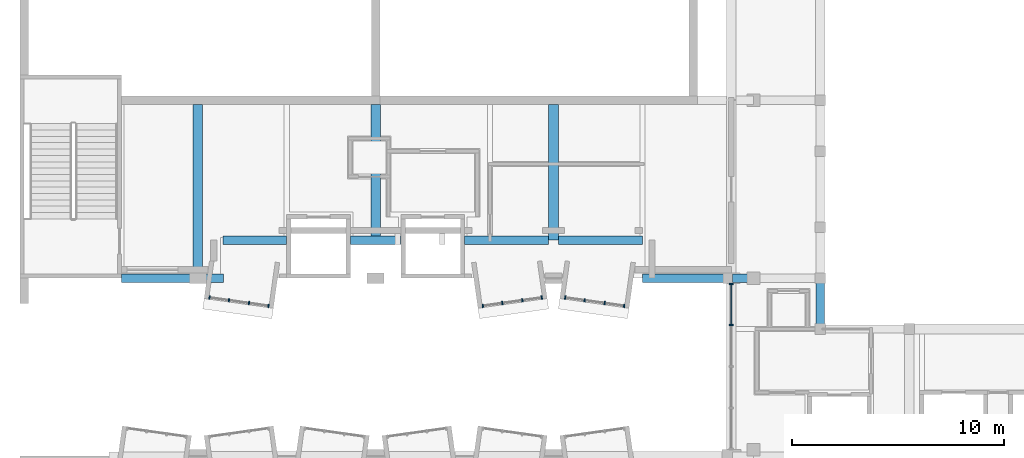
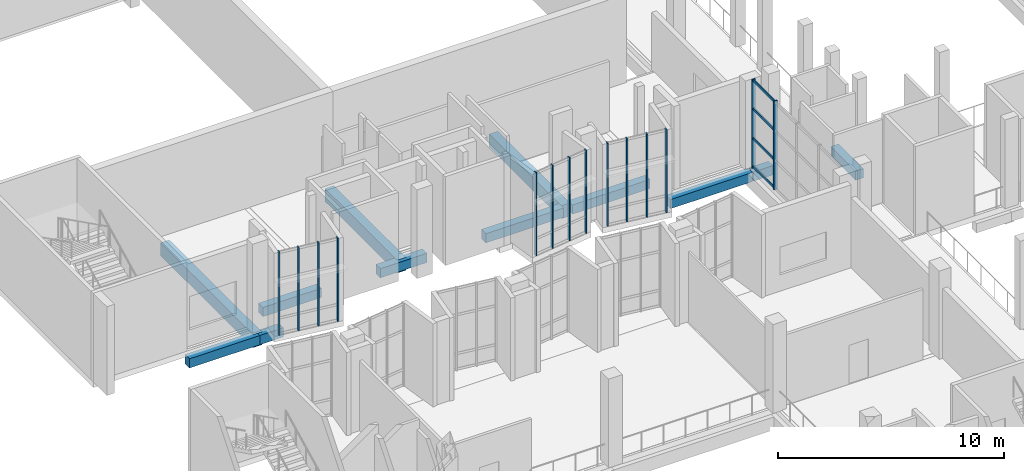
# One storey, part 8 of 100: 18 members, 12 beams, 4 elements without a shape of their own.
"""IFC4 building model written with IfcOpenShell, lengths in metres."""

from ifc_helpers import new_model, si_unit, direction, frame, origin, origin_2d, place, context, subcontext, project, spatial, rectangle, extrude, material, layer, layer_set, material_profile, profile_set, type_object, element, aggregate, save


model = new_model("IFC4")

# Units and contexts
model_context = context("Model", 3, precision=1e-05, world=origin(), true_north=direction((0.0, 1.0)))
body_context = subcontext(model_context, "Body", "Model", "MODEL_VIEW")
ifc_project = project(units=[si_unit("LENGTHUNIT", "METRE"), si_unit("AREAUNIT", "SQUARE_METRE"), si_unit("VOLUMEUNIT", "CUBIC_METRE"), si_unit("PLANEANGLEUNIT", "RADIAN"), si_unit("MASSUNIT", "GRAM", prefix="KILO")], contexts=[model_context])

# Site, building, storey
site_placement = place(None, origin())
site = spatial("IfcSite", under=ifc_project, at=site_placement, CompositionType="ELEMENT")
building_placement = place(site_placement, origin())
building = spatial("IfcBuilding", under=site, at=building_placement, Name="Kiln Court Media Centre", CompositionType="ELEMENT")
storey_placement = place(building_placement, frame((0.0, 0.0, 15.0)))
storey = spatial("IfcBuildingStorey", under=building, at=storey_placement, Name="L03", CompositionType="ELEMENT", Elevation=15.0)

# Curtain wall, members
ifc_material_1 = material(Name="Aluminium 6063-T6", Category="aluminium")
ifc_layer_1 = layer(ifc_material_1, 0.1201171875)
ifc_layer_set_1 = layer_set([ifc_layer_1], Name="Aluminium stick curtain wall, gallery")
curtain_wall_type_1 = type_object("IfcCurtainWallType", Name="Aluminium stick curtain wall, gallery", PredefinedType="USERDEFINED", material=ifc_layer_set_1)
curtain_wall_1_placement = place(storey_placement, origin())
curtain_wall_1 = element("IfcCurtainWall", 1, at=curtain_wall_1_placement, inside=storey, type_object=curtain_wall_type_1, Name="Foyer west glazing L03", ObjectType="STICK CURTAIN WALL", PredefinedType="USERDEFINED")
ifc_material_2 = material(Name="Aluminium 6063-T6", Category="aluminium")
ifc_material_profile_1 = material_profile(ifc_material_2, rectangle(XDim=0.06005859375, YDim=0.179931640625, at=origin_2d()), Name="Aluminium hall mullion 60x180")
ifc_profile_set_1 = profile_set([ifc_material_profile_1], Name="Aluminium 6063-T6")
member_type_1 = type_object("IfcMemberType", Name="Aluminium hall mullion 60x180", PredefinedType="MULLION", material=ifc_profile_set_1)
member_1_placement = place(storey_placement, frame((33.60009765625, 31.387451171875, 0.0), z_axis=(0.0, 0.0, 1.0), x_axis=(0.0, 1.0, 0.0)))
member_1 = element("IfcMember", 2, at=member_1_placement, type_object=member_type_1, Name="CW3-62 mullion 4", PredefinedType="MULLION", context=body_context, shape_type="SweptSolid", body=[
    extrude(rectangle(XDim=0.06005859375, YDim=0.179931640625, at=origin_2d()), origin(), (0.0, 0.0, 1.0), 4.800048828125),
])
member_2_placement = place(storey_placement, frame((33.60009765625, 33.320068359375, 0.0), z_axis=(0.0, 0.0, 1.0), x_axis=(0.0, 1.0, 0.0)))
member_2 = element("IfcMember", 3, at=member_2_placement, type_object=member_type_1, Name="CW3-62 mullion 5", PredefinedType="MULLION", context=body_context, shape_type="SweptSolid", body=[
    extrude(rectangle(XDim=0.06005859375, YDim=0.179931640625, at=origin_2d()), origin(), (0.0, 0.0, 1.0), 4.800048828125),
])
ifc_material_3 = material(Name="Aluminium 6063-T6", Category="aluminium")
ifc_material_profile_2 = material_profile(ifc_material_3, rectangle(XDim=0.06005859375, YDim=0.139892578125, at=origin_2d()), Name="Aluminium hall transom 60x140")
ifc_profile_set_2 = profile_set([ifc_material_profile_2], Name="Aluminium 6063-T6")
member_type_2 = type_object("IfcMemberType", Name="Aluminium hall transom 60x140", PredefinedType="USERDEFINED", material=ifc_profile_set_2)
member_3_placement = place(storey_placement, frame((33.60009765625, 31.41748046875, 0.070068359375), z_axis=(0.0, 1.0, 0.0), x_axis=(-1.0, 0.0, 0.0)))
member_3 = element("IfcMember", 4, at=member_3_placement, type_object=member_type_2, Name="CW3-62 transom 4.1", ObjectType="TRANSOM", PredefinedType="USERDEFINED", context=body_context, shape_type="SweptSolid", body=[
    extrude(rectangle(XDim=0.06005859375, YDim=0.139892578125, at=origin_2d()), origin(), (0.0, 0.0, 1.0), 1.87255859375),
])
member_4_placement = place(storey_placement, frame((33.60009765625, 31.41748046875, 1.60009765625), z_axis=(0.0, 1.0, 0.0), x_axis=(-1.0, 0.0, 0.0)))
member_4 = element("IfcMember", 5, at=member_4_placement, type_object=member_type_2, Name="CW3-62 transom 4.2", ObjectType="TRANSOM", PredefinedType="USERDEFINED", context=body_context, shape_type="SweptSolid", body=[
    extrude(rectangle(XDim=0.06005859375, YDim=0.139892578125, at=origin_2d()), origin(), (0.0, 0.0, 1.0), 1.87255859375),
])
member_5_placement = place(storey_placement, frame((33.60009765625, 31.41748046875, 3.199951171875), z_axis=(0.0, 1.0, 0.0), x_axis=(-1.0, 0.0, 0.0)))
member_5 = element("IfcMember", 6, at=member_5_placement, type_object=member_type_2, Name="CW3-62 transom 4.3", ObjectType="TRANSOM", PredefinedType="USERDEFINED", context=body_context, shape_type="SweptSolid", body=[
    extrude(rectangle(XDim=0.06005859375, YDim=0.139892578125, at=origin_2d()), origin(), (0.0, 0.0, 1.0), 1.87255859375),
])
member_6_placement = place(storey_placement, frame((33.60009765625, 31.41748046875, 4.72998046875), z_axis=(0.0, 1.0, 0.0), x_axis=(-1.0, 0.0, 0.0)))
member_6 = element("IfcMember", 7, at=member_6_placement, type_object=member_type_2, Name="CW3-62 transom 4.4", ObjectType="TRANSOM", PredefinedType="USERDEFINED", context=body_context, shape_type="SweptSolid", body=[
    extrude(rectangle(XDim=0.06005859375, YDim=0.139892578125, at=origin_2d()), origin(), (0.0, 0.0, 1.0), 1.87255859375),
])
aggregate(curtain_wall_1, [member_1, member_2, member_3, member_4, member_5, member_6])

ifc_material_4 = material(Name="Aluminium 6063-T6", Category="aluminium")
ifc_layer_2 = layer(ifc_material_4, 0.1201171875)
ifc_layer_set_2 = layer_set([ifc_layer_2], Name="Aluminium unitised bay curtain wall")
curtain_wall_type_2 = type_object("IfcCurtainWallType", Name="Aluminium unitised bay curtain wall", PredefinedType="USERDEFINED", material=ifc_layer_set_2)
curtain_wall_2_placement = place(storey_placement, origin())
curtain_wall_2 = element("IfcCurtainWall", 8, at=curtain_wall_2_placement, inside=storey, type_object=curtain_wall_type_2, Name="BAY V4-S-L03-17 front", ObjectType="UNITISED CURTAIN WALL", PredefinedType="USERDEFINED")
ifc_material_5 = material(Name="Aluminium 6063-T6", Category="aluminium")
ifc_material_profile_3 = material_profile(ifc_material_5, rectangle(XDim=0.06005859375, YDim=0.159912109375, at=origin_2d()), Name="Aluminium mullion 60x160")
ifc_profile_set_3 = profile_set([ifc_material_profile_3], Name="Aluminium 6063-T6")
member_type_3 = type_object("IfcMemberType", Name="Aluminium mullion 60x160", PredefinedType="MULLION", material=ifc_profile_set_3)
member_7_placement = place(storey_placement, frame((8.952880859375, 32.6865234375, 0.0), z_axis=(0.0, 0.0, 1.0), x_axis=(0.990269562409, -0.139162472554, 0.0)))
member_7 = element("IfcMember", 9, at=member_7_placement, type_object=member_type_3, Name="CW3-01 mullion 1", PredefinedType="MULLION", context=body_context, shape_type="SweptSolid", body=[
    extrude(rectangle(XDim=0.06005859375, YDim=0.159912109375, at=origin_2d()), origin(), (0.0, 0.0, 1.0), 4.5),
])
member_8_placement = place(storey_placement, frame((9.870361328125, 32.557373046875, 0.0), z_axis=(0.0, 0.0, 1.0), x_axis=(0.990269562409, -0.139162472554, 0.0)))
member_8 = element("IfcMember", 10, at=member_8_placement, type_object=member_type_3, Name="CW3-01 mullion 2", PredefinedType="MULLION", context=body_context, shape_type="SweptSolid", body=[
    extrude(rectangle(XDim=0.06005859375, YDim=0.159912109375, at=origin_2d()), origin(), (0.0, 0.0, 1.0), 4.5),
])
member_9_placement = place(storey_placement, frame((10.81787109375, 32.42431640625, 0.0), z_axis=(0.0, 0.0, 1.0), x_axis=(0.990269562409, -0.139162472554, 0.0)))
member_9 = element("IfcMember", 11, at=member_9_placement, type_object=member_type_3, Name="CW3-01 mullion 3", PredefinedType="MULLION", context=body_context, shape_type="SweptSolid", body=[
    extrude(rectangle(XDim=0.06005859375, YDim=0.159912109375, at=origin_2d()), origin(), (0.0, 0.0, 1.0), 4.5),
])
member_10_placement = place(storey_placement, frame((11.735595703125, 32.29541015625, 0.0), z_axis=(0.0, 0.0, 1.0), x_axis=(0.990269562409, -0.139162472554, 0.0)))
member_10 = element("IfcMember", 12, at=member_10_placement, type_object=member_type_3, Name="CW3-01 mullion 4", PredefinedType="MULLION", context=body_context, shape_type="SweptSolid", body=[
    extrude(rectangle(XDim=0.06005859375, YDim=0.159912109375, at=origin_2d()), origin(), (0.0, 0.0, 1.0), 4.5),
])
aggregate(curtain_wall_2, [member_7, member_8, member_9, member_10])

curtain_wall_3_placement = place(storey_placement, origin())
curtain_wall_3 = element("IfcCurtainWall", 13, at=curtain_wall_3_placement, inside=storey, type_object=curtain_wall_type_2, Name="BAY V4-S-L03-20 front", ObjectType="UNITISED CURTAIN WALL", PredefinedType="USERDEFINED")
member_11_placement = place(storey_placement, frame((21.864501953125, 32.29541015625, 0.0), z_axis=(0.0, 0.0, 1.0), x_axis=(0.990269562409, 0.139162472554, 0.0)))
member_11 = element("IfcMember", 14, at=member_11_placement, type_object=member_type_3, Name="CW3-02 mullion 1", PredefinedType="MULLION", context=body_context, shape_type="SweptSolid", body=[
    extrude(rectangle(XDim=0.06005859375, YDim=0.159912109375, at=origin_2d()), origin(), (0.0, 0.0, 1.0), 4.5),
])
member_12_placement = place(storey_placement, frame((22.7822265625, 32.42431640625, 0.0), z_axis=(0.0, 0.0, 1.0), x_axis=(0.990269562409, 0.139162472554, 0.0)))
member_12 = element("IfcMember", 15, at=member_12_placement, type_object=member_type_3, Name="CW3-02 mullion 2", PredefinedType="MULLION", context=body_context, shape_type="SweptSolid", body=[
    extrude(rectangle(XDim=0.06005859375, YDim=0.159912109375, at=origin_2d()), origin(), (0.0, 0.0, 1.0), 4.5),
])
member_13_placement = place(storey_placement, frame((23.7294921875, 32.557373046875, 0.0), z_axis=(0.0, 0.0, 1.0), x_axis=(0.990269562409, 0.139162472554, 0.0)))
member_13 = element("IfcMember", 16, at=member_13_placement, type_object=member_type_3, Name="CW3-02 mullion 3", PredefinedType="MULLION", context=body_context, shape_type="SweptSolid", body=[
    extrude(rectangle(XDim=0.06005859375, YDim=0.159912109375, at=origin_2d()), origin(), (0.0, 0.0, 1.0), 4.5),
])
member_14_placement = place(storey_placement, frame((24.647216796875, 32.6865234375, 0.0), z_axis=(0.0, 0.0, 1.0), x_axis=(0.990269562409, 0.139162472554, 0.0)))
member_14 = element("IfcMember", 17, at=member_14_placement, type_object=member_type_3, Name="CW3-02 mullion 4", PredefinedType="MULLION", context=body_context, shape_type="SweptSolid", body=[
    extrude(rectangle(XDim=0.06005859375, YDim=0.159912109375, at=origin_2d()), origin(), (0.0, 0.0, 1.0), 4.5),
])
aggregate(curtain_wall_3, [member_11, member_12, member_13, member_14])

curtain_wall_4_placement = place(storey_placement, origin())
curtain_wall_4 = element("IfcCurtainWall", 18, at=curtain_wall_4_placement, inside=storey, type_object=curtain_wall_type_2, Name="BAY V4-S-L03-21 front", ObjectType="UNITISED CURTAIN WALL", PredefinedType="USERDEFINED")
member_15_placement = place(storey_placement, frame((25.7529296875, 32.6865234375, 0.0), z_axis=(0.0, 0.0, 1.0), x_axis=(0.990269562409, -0.139162472554, 0.0)))
member_15 = element("IfcMember", 19, at=member_15_placement, type_object=member_type_3, Name="CW3-03 mullion 1", PredefinedType="MULLION", context=body_context, shape_type="SweptSolid", body=[
    extrude(rectangle(XDim=0.06005859375, YDim=0.159912109375, at=origin_2d()), origin(), (0.0, 0.0, 1.0), 4.5),
])
member_16_placement = place(storey_placement, frame((26.67041015625, 32.557373046875, 0.0), z_axis=(0.0, 0.0, 1.0), x_axis=(0.990269562409, -0.139162472554, 0.0)))
member_16 = element("IfcMember", 20, at=member_16_placement, type_object=member_type_3, Name="CW3-03 mullion 2", PredefinedType="MULLION", context=body_context, shape_type="SweptSolid", body=[
    extrude(rectangle(XDim=0.06005859375, YDim=0.159912109375, at=origin_2d()), origin(), (0.0, 0.0, 1.0), 4.5),
])
member_17_placement = place(storey_placement, frame((27.617919921875, 32.42431640625, 0.0), z_axis=(0.0, 0.0, 1.0), x_axis=(0.990269562409, -0.139162472554, 0.0)))
member_17 = element("IfcMember", 21, at=member_17_placement, type_object=member_type_3, Name="CW3-03 mullion 3", PredefinedType="MULLION", context=body_context, shape_type="SweptSolid", body=[
    extrude(rectangle(XDim=0.06005859375, YDim=0.159912109375, at=origin_2d()), origin(), (0.0, 0.0, 1.0), 4.5),
])
member_18_placement = place(storey_placement, frame((28.535400390625, 32.29541015625, 0.0), z_axis=(0.0, 0.0, 1.0), x_axis=(0.990269562409, -0.139162472554, 0.0)))
member_18 = element("IfcMember", 22, at=member_18_placement, type_object=member_type_3, Name="CW3-03 mullion 4", PredefinedType="MULLION", context=body_context, shape_type="SweptSolid", body=[
    extrude(rectangle(XDim=0.06005859375, YDim=0.159912109375, at=origin_2d()), origin(), (0.0, 0.0, 1.0), 4.5),
])
aggregate(curtain_wall_4, [member_15, member_16, member_17, member_18])

# Beams
ifc_material_6 = material(Name="Concrete C30/37", Category="concrete")
ifc_material_profile_4 = material_profile(ifc_material_6, rectangle(XDim=0.39990234375, YDim=0.5, at=origin_2d()), Name="RC 400x500")
ifc_profile_set_4 = profile_set([ifc_material_profile_4], Name="Concrete C30/37")
beam_type_1 = type_object("IfcBeamType", Name="Concrete C30/37 beam 400x500", PredefinedType="BEAM", material=ifc_profile_set_4)
beam_1_placement = place(storey_placement, frame((4.800048828125, 33.60009765625, -0.550048828125), z_axis=(1.0, 0.0, 0.0), x_axis=(0.0, 1.0, 0.0)))
element("IfcBeam", 23, at=beam_1_placement, inside=storey, type_object=beam_type_1, Name="L03-B-1054", PredefinedType="BEAM", context=body_context, shape_type="SweptSolid", body=[
    extrude(rectangle(XDim=0.39990234375, YDim=0.5, at=origin_2d()), origin(), (0.0, 0.0, 1.0), 3.599853515625),
])
beam_2_placement = place(storey_placement, frame((8.39990234375, 33.60009765625, -0.550048828125), z_axis=(1.0, 0.0, 0.0), x_axis=(0.0, 1.0, 0.0)))
element("IfcBeam", 24, at=beam_2_placement, inside=storey, type_object=beam_type_1, Name="L03-B-1055", PredefinedType="BEAM", context=body_context, shape_type="SweptSolid", body=[
    extrude(rectangle(XDim=0.39990234375, YDim=0.5, at=origin_2d()), origin(), (0.0, 0.0, 1.0), 1.201171875),
])
beam_3_placement = place(storey_placement, frame((29.39892578125, 33.60009765625, -0.550048828125), z_axis=(1.0, 0.0, 0.0), x_axis=(0.0, 1.0, 0.0)))
element("IfcBeam", 25, at=beam_3_placement, inside=storey, type_object=beam_type_1, Name="L03-B-1056", PredefinedType="BEAM", context=body_context, shape_type="SweptSolid", body=[
    extrude(rectangle(XDim=0.39990234375, YDim=0.5, at=origin_2d()), origin(), (0.0, 0.0, 1.0), 4.201171875),
])
beam_4_placement = place(storey_placement, frame((29.39990234375, 35.39990234375, -0.550048828125), z_axis=(-1.0, 0.0, 0.0), x_axis=(0.0, -1.0, 0.0)))
element("IfcBeam", 26, at=beam_4_placement, inside=storey, type_object=beam_type_1, Name="L03-B-1062", PredefinedType="BEAM", context=body_context, shape_type="SweptSolid", body=[
    extrude(rectangle(XDim=0.39990234375, YDim=0.5, at=origin_2d()), origin(), (0.0, 0.0, 1.0), 3.974853515625),
])
beam_5_placement = place(storey_placement, frame((24.97509765625, 35.39990234375, -0.550048828125), z_axis=(-1.0, 0.0, 0.0), x_axis=(0.0, -1.0, 0.0)))
element("IfcBeam", 27, at=beam_5_placement, inside=storey, type_object=beam_type_1, Name="L03-B-1063", PredefinedType="BEAM", context=body_context, shape_type="SweptSolid", body=[
    extrude(rectangle(XDim=0.39990234375, YDim=0.5, at=origin_2d()), origin(), (0.0, 0.0, 1.0), 3.97509765625),
])
beam_6_placement = place(storey_placement, frame((18.0, 35.39990234375, -0.550048828125), z_axis=(-1.0, 0.0, 0.0), x_axis=(0.0, -1.0, 0.0)))
element("IfcBeam", 28, at=beam_6_placement, inside=storey, type_object=beam_type_1, Name="L03-B-1064", PredefinedType="BEAM", context=body_context, shape_type="SweptSolid", body=[
    extrude(rectangle(XDim=0.39990234375, YDim=0.5, at=origin_2d()), origin(), (0.0, 0.0, 1.0), 2.39990234375),
])
beam_7_placement = place(storey_placement, frame((12.60009765625, 35.39990234375, -0.550048828125), z_axis=(-1.0, 0.0, 0.0), x_axis=(0.0, -1.0, 0.0)))
element("IfcBeam", 29, at=beam_7_placement, inside=storey, type_object=beam_type_1, Name="L03-B-1065", PredefinedType="BEAM", context=body_context, shape_type="SweptSolid", body=[
    extrude(rectangle(XDim=0.39990234375, YDim=0.5, at=origin_2d()), origin(), (0.0, 0.0, 1.0), 3.0),
])
beam_8_placement = place(storey_placement, frame((33.64990234375, 33.60009765625, -0.550048828125), z_axis=(1.0, 0.0, 0.0), x_axis=(0.0, 1.0, 0.0)))
element("IfcBeam", 30, at=beam_8_placement, inside=storey, type_object=beam_type_1, Name="L03-B-1077", PredefinedType="BEAM", context=body_context, shape_type="SweptSolid", body=[
    extrude(rectangle(XDim=0.39990234375, YDim=0.5, at=origin_2d()), origin(), (0.0, 0.0, 1.0), 1.0),
])
beam_9_placement = place(storey_placement, frame((37.800048828125, 33.39990234375, -0.550048828125), z_axis=(0.0, -1.0, 0.0), x_axis=(1.0, 0.0, 0.0)))
element("IfcBeam", 31, at=beam_9_placement, inside=storey, type_object=beam_type_1, Name="L03-B-1096", PredefinedType="BEAM", context=body_context, shape_type="SweptSolid", body=[
    extrude(rectangle(XDim=0.39990234375, YDim=0.5, at=origin_2d()), origin(), (0.0, 0.0, 1.0), 2.199951171875),
])
ifc_material_7 = material(Name="Concrete C30/37", Category="concrete")
ifc_material_profile_5 = material_profile(ifc_material_7, rectangle(XDim=0.449951171875, YDim=0.699951171875, at=origin_2d()), Name="RC 450x700")
ifc_profile_set_5 = profile_set([ifc_material_profile_5], Name="Concrete C30/37")
beam_type_2 = type_object("IfcBeamType", Name="Concrete C30/37 beam 450x700", PredefinedType="BEAM", material=ifc_profile_set_5)
beam_10_placement = place(storey_placement, frame((8.39990234375, 33.60009765625, -0.64990234375), z_axis=(0.0, 1.0, 0.0), x_axis=(-1.0, 0.0, 0.0)))
element("IfcBeam", 32, at=beam_10_placement, inside=storey, type_object=beam_type_2, Name="L03-B-1047", PredefinedType="BEAM", context=body_context, shape_type="SweptSolid", body=[
    extrude(rectangle(XDim=0.449951171875, YDim=0.699951171875, at=origin_2d()), origin(), (0.0, 0.0, 1.0), 8.199951171875),
])
for number, where, z_axis, x_axis, name in (
    (33, (16.800048828125, 35.39892578125, -0.64990234375), (0.0, 1.0, 0.0), (-1.0, 0.0, 0.0), "L03-B-1049"),
    (34, (25.199951171875, 35.39892578125, -0.64990234375), (0.0, 1.0, 0.0), (-1.0, 0.0, 0.0), "L03-B-1051"),
):
    element("IfcBeam", number, at=place(storey_placement, frame(where, z_axis=z_axis, x_axis=x_axis)), inside=storey, type_object=beam_type_2, Name=name, PredefinedType="BEAM", context=body_context, shape_type="SweptSolid", body=[
        extrude(rectangle(XDim=0.449951171875, YDim=0.699951171875, at=origin_2d()), origin(), (0.0, 0.0, 1.0), 6.401123046875),
    ])

save(model, "model.ifc")
